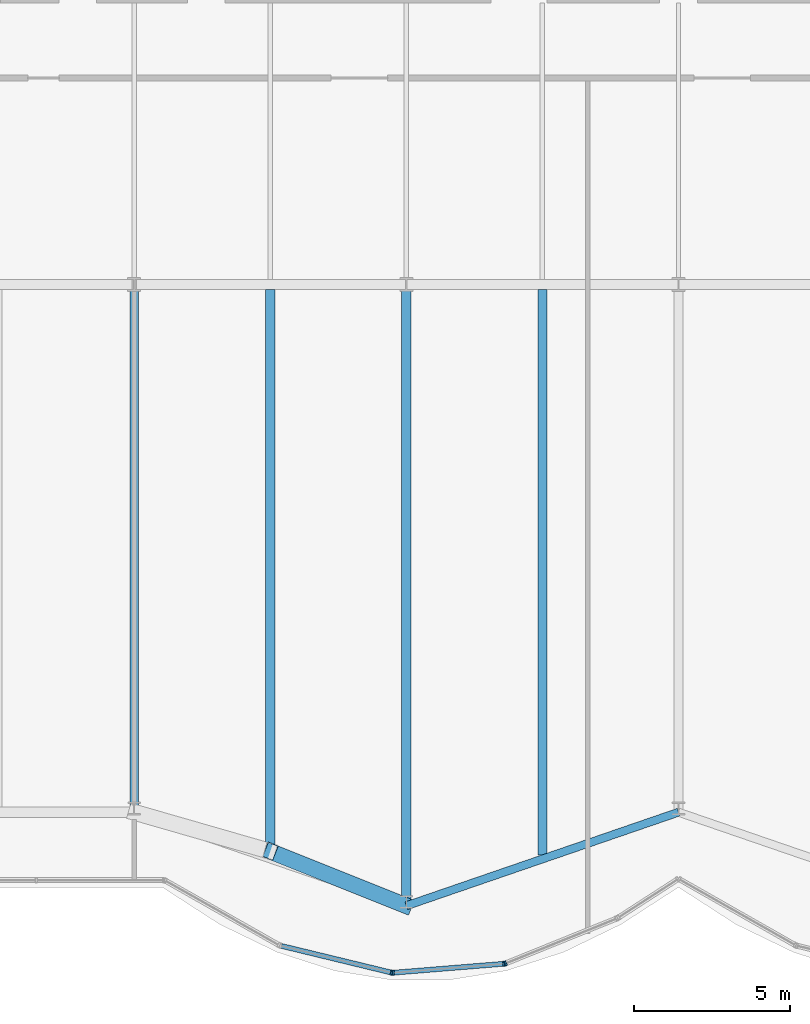
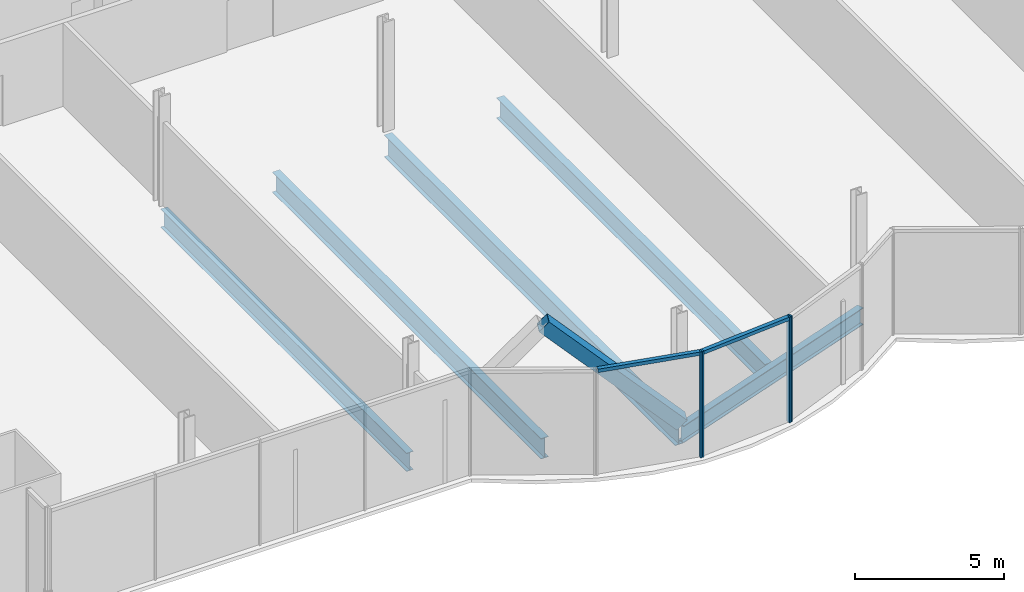
# One storey, part 5 of 21: 7 members, 5 beams, 1 element without a shape of its own.
"""IFC4 building model written with IfcOpenShell, lengths in metres."""

from ifc_helpers import new_model, si_unit, direction, frame, origin, origin_2d, place, context, subcontext, project, spatial, rectangle, hollow_rectangle, i_section, extrude, material, material_profile, profile_set, type_object, element, aggregate, save


model = new_model("IFC4")

# Units and contexts
model_context = context("Model", 3, precision=1e-05, world=origin(), true_north=direction((0.0, 1.0)))
body_context = subcontext(model_context, "Body", "Model", "MODEL_VIEW")
ifc_project = project(units=[si_unit("LENGTHUNIT", "METRE"), si_unit("AREAUNIT", "SQUARE_METRE"), si_unit("VOLUMEUNIT", "CUBIC_METRE"), si_unit("PLANEANGLEUNIT", "RADIAN"), si_unit("MASSUNIT", "GRAM", prefix="KILO")], contexts=[model_context])

# Site, building, storey
site_placement = place(None, origin())
site = spatial("IfcSite", under=ifc_project, at=site_placement, CompositionType="ELEMENT")
building_placement = place(site_placement, origin())
building = spatial("IfcBuilding", under=site, at=building_placement, Name="Bicima Exchange Tower", CompositionType="ELEMENT")
storey_placement = place(building_placement, frame((0.0, 0.0, 48.5)))
storey = spatial("IfcBuildingStorey", under=building, at=storey_placement, Name="L09", CompositionType="ELEMENT", Elevation=48.5)

# Beams
ifc_material_1 = material(Name="Steel ASTM A992 Gr 50", Category="steel")
ifc_material_profile_1 = material_profile(ifc_material_1, i_section(OverallWidth=0.2666015625, OverallDepth=0.75439453125, WebThickness=0.01318359375, FlangeThickness=0.01708984375, at=origin_2d()))
ifc_profile_set_1 = profile_set([ifc_material_profile_1], Name="Steel ASTM A992 Gr 50")
beam_type_1 = type_object("IfcBeamType", Name="Floor beam W30x99", PredefinedType="JOIST", material=ifc_profile_set_1)
beam_1_placement = place(storey_placement, frame((-17.39990234375, -22.16259765625, -0.527099609375), z_axis=(0.0, -1.0, 0.0), x_axis=(1.0, 0.0, 0.0)))
element("IfcBeam", 1, at=beam_1_placement, inside=storey, type_object=beam_type_1, Name="Floor beam", PredefinedType="JOIST", context=body_context, shape_type="SweptSolid", body=[
    extrude(i_section(OverallWidth=0.2666015625, OverallDepth=0.75439453125, WebThickness=0.01318359375, FlangeThickness=0.01708984375, at=origin_2d()), origin(), (0.0, 0.0, 1.0), 16.542724609375),
])
ifc_material_profile_2 = material_profile(ifc_material_1, i_section(OverallWidth=0.2919921875, OverallDepth=0.835693359375, WebThickness=0.013916015625, FlangeThickness=0.018798828125, at=origin_2d()))
ifc_profile_set_2 = profile_set([ifc_material_profile_2], Name="Steel ASTM A992 Gr 50")
beam_type_2 = type_object("IfcBeamType", Name="Floor beam W33x118", PredefinedType="JOIST", material=ifc_profile_set_2)
for number, where, z_axis, x_axis, name in (
    (2, (-13.050048828125, -22.16259765625, -0.56787109375), (0.0, -1.0, 0.0), (1.0, 0.0, 0.0), "Floor beam"),
    (3, (-4.35009765625, -22.16259765625, -0.56787109375), (0.0, -1.0, 0.0), (1.0, 0.0, 0.0), "Floor beam"),
):
    element("IfcBeam", number, at=place(storey_placement, frame(where, z_axis=z_axis, x_axis=x_axis)), inside=storey, type_object=beam_type_2, Name=name, PredefinedType="JOIST", context=body_context, shape_type="SweptSolid", body=[
        extrude(i_section(OverallWidth=0.2919921875, OverallDepth=0.835693359375, WebThickness=0.013916015625, FlangeThickness=0.018798828125, at=origin_2d()), origin(), (0.0, 0.0, 1.0), 18.065185546875),
    ])
ifc_material_profile_3 = material_profile(ifc_material_1, i_section(OverallWidth=0.3046875, OverallDepth=0.904296875, WebThickness=0.01513671875, FlangeThickness=0.02001953125, at=origin_2d()))
ifc_profile_set_3 = profile_set([ifc_material_profile_3], Name="Steel ASTM A992 Gr 50")
beam_type_3 = type_object("IfcBeamType", Name="Floor beam W36x135", PredefinedType="JOIST", material=ifc_profile_set_3)
beam_2_placement = place(storey_placement, frame((-8.699951171875, -22.16259765625, -0.60205078125), z_axis=(0.0, -1.0, 0.0), x_axis=(1.0, 0.0, 0.0)))
element("IfcBeam", 4, at=beam_2_placement, inside=storey, type_object=beam_type_3, Name="Floor beam", PredefinedType="JOIST", context=body_context, shape_type="SweptSolid", body=[
    extrude(i_section(OverallWidth=0.3046875, OverallDepth=0.904296875, WebThickness=0.01513671875, FlangeThickness=0.02001953125, at=origin_2d()), origin(), (0.0, 0.0, 1.0), 19.560791015625),
])
ifc_material_profile_4 = material_profile(ifc_material_1, i_section(OverallWidth=0.256591796875, OverallDepth=0.693359375, WebThickness=0.014404296875, FlangeThickness=0.023681640625, at=origin_2d()))
ifc_profile_set_4 = profile_set([ifc_material_profile_4], Name="Steel ASTM A992 Gr 50")
beam_type_4 = type_object("IfcBeamType", Name="Front girder W27x114", PredefinedType="BEAM", material=ifc_profile_set_4)
beam_3_placement = place(storey_placement, frame((-8.699951171875, -41.859130859375, -0.49658203125), z_axis=(0.945666456746, 0.325138359143, 0.0), x_axis=(-0.325138359143, 0.945666456746, 0.0)))
element("IfcBeam", 5, at=beam_3_placement, inside=storey, type_object=beam_type_4, Name="Front girder", PredefinedType="BEAM", context=body_context, shape_type="SweptSolid", body=[
    extrude(i_section(OverallWidth=0.256591796875, OverallDepth=0.693359375, WebThickness=0.014404296875, FlangeThickness=0.023681640625, at=origin_2d()), origin(), (0.0, 0.0, 1.0), 9.19970703125),
])

# Curtain wall, members
ifc_material_2 = material(Name="Anodised bronze aluminium", Category="aluminium")
curtain_wall_type = type_object("IfcCurtainWallType", Name="Front glass wall", PredefinedType="NOTDEFINED", material=ifc_material_2)
curtain_wall_placement = place(storey_placement, origin())
curtain_wall = element("IfcCurtainWall", 6, at=curtain_wall_placement, inside=storey, type_object=curtain_wall_type, Name="Front glass wall L09 run 6", PredefinedType="NOTDEFINED")
ifc_material_profile_5 = material_profile(ifc_material_2, rectangle(XDim=0.159912109375, YDim=0.06005859375, at=origin_2d()))
ifc_profile_set_5 = profile_set([ifc_material_profile_5], Name="Anodised bronze aluminium")
member_type_1 = type_object("IfcMemberType", Name="Front glass wall mullion 60 x 160", PredefinedType="MULLION", material=ifc_profile_set_5)
member_1_placement = place(storey_placement, frame((-9.177490234375, -43.993896484375, 0.0), z_axis=(0.0, 0.0, 1.0), x_axis=(0.235681529503, 0.971830343553, 0.0)))
member_1 = element("IfcMember", 7, at=member_1_placement, type_object=member_type_1, Name="Front glass wall mullion 2", PredefinedType="MULLION", context=body_context, shape_type="SweptSolid", body=[
    extrude(rectangle(XDim=0.159912109375, YDim=0.06005859375, at=origin_2d()), origin(), (0.0, 0.0, 1.0), 4.35009765625),
])
member_2_placement = place(storey_placement, frame((-9.118408203125, -43.99853515625, 0.0), z_axis=(0.0, 0.0, 1.0), x_axis=(-0.080588612633, 0.99674744821, 0.0)))
member_2 = element("IfcMember", 8, at=member_2_placement, type_object=member_type_1, Name="Front glass wall mullion 1", PredefinedType="MULLION", context=body_context, shape_type="SweptSolid", body=[
    extrude(rectangle(XDim=0.159912109375, YDim=0.06005859375, at=origin_2d()), origin(), (0.0, 0.0, 1.0), 4.35009765625),
])
member_3_placement = place(storey_placement, frame((-5.583984375, -43.712890625, 0.0), z_axis=(0.0, 0.0, 1.0), x_axis=(-0.080588612633, 0.99674744821, 0.0)))
member_3 = element("IfcMember", 9, at=member_3_placement, type_object=member_type_1, Name="Front glass wall mullion 2", PredefinedType="MULLION", context=body_context, shape_type="SweptSolid", body=[
    extrude(rectangle(XDim=0.159912109375, YDim=0.06005859375, at=origin_2d()), origin(), (0.0, 0.0, 1.0), 4.35009765625),
])
member_4_placement = place(storey_placement, frame((-5.526123046875, -43.69921875, 0.0), z_axis=(0.0, 0.0, 1.0), x_axis=(-0.374705304, 0.92714396679, 0.0)))
member_4 = element("IfcMember", 10, at=member_4_placement, type_object=member_type_1, Name="Front glass wall mullion 1", PredefinedType="MULLION", context=body_context, shape_type="SweptSolid", body=[
    extrude(rectangle(XDim=0.159912109375, YDim=0.06005859375, at=origin_2d()), origin(), (0.0, 0.0, 1.0), 4.35009765625),
])
ifc_material_profile_6 = material_profile(ifc_material_2, rectangle(XDim=0.159912109375, YDim=0.139892578125, at=origin_2d()))
ifc_profile_set_6 = profile_set([ifc_material_profile_6], Name="Anodised bronze aluminium")
member_type_2 = type_object("IfcMemberType", Name="Front glass wall transom 140 x 160", PredefinedType="USERDEFINED", material=ifc_profile_set_6)
member_5_placement = place(storey_placement, frame((-12.68896484375, -43.142333984375, 4.280029296875), z_axis=(0.971833557815, -0.235668275132, 0.0), x_axis=(0.235668275132, 0.971833557815, 0.0)))
member_5 = element("IfcMember", 11, at=member_5_placement, type_object=member_type_2, Name="Front glass wall transom 1.1", ObjectType="TRANSOM", PredefinedType="USERDEFINED", context=body_context, shape_type="SweptSolid", body=[
    extrude(rectangle(XDim=0.159912109375, YDim=0.139892578125, at=origin_2d()), origin(), (0.0, 0.0, 1.0), 3.583251953125),
])
member_6_placement = place(storey_placement, frame((-9.08837890625, -43.99609375, 4.280029296875), z_axis=(0.9967456465, 0.080610893699, 0.0), x_axis=(-0.080610893699, 0.9967456465, 0.0)))
member_6 = element("IfcMember", 12, at=member_6_placement, type_object=member_type_2, Name="Front glass wall transom 1.1", ObjectType="TRANSOM", PredefinedType="USERDEFINED", context=body_context, shape_type="SweptSolid", body=[
    extrude(rectangle(XDim=0.159912109375, YDim=0.139892578125, at=origin_2d()), origin(), (0.0, 0.0, 1.0), 3.48583984375),
])
aggregate(curtain_wall, [member_1, member_5, member_2, member_3, member_6, member_4])

# Member
ifc_material_3 = material(Name="Steel ASTM A572 Gr 50", Category="steel")
ifc_material_profile_7 = material_profile(ifc_material_3, hollow_rectangle(XDim=0.508056640625, YDim=0.508056640625, WallThickness=0.017822265625, at=origin_2d()))
ifc_profile_set_7 = profile_set([ifc_material_profile_7], Name="Steel ASTM A572 Gr 50")
member_type_3 = type_object("IfcMemberType", Name="Mega brace HSS20x20x3/4", PredefinedType="BRACE", material=ifc_profile_set_7)
member_7_placement = place(storey_placement, frame((-8.699951171875, -41.859130859375, 0.0), z_axis=(-0.669641624162, 0.267811550891, 0.692717163349), x_axis=(-0.3713367687, -0.928498252132, 0.0)))
element("IfcMember", 13, at=member_7_placement, inside=storey, type_object=member_type_3, Name="Mega brace front", PredefinedType="BRACE", context=body_context, shape_type="SweptSolid", body=[
    extrude(hollow_rectangle(XDim=0.508056640625, YDim=0.508056640625, WallThickness=0.017822265625, at=origin_2d()), origin(), (0.0, 0.0, 1.0), 6.49609375),
])

save(model, "model.ifc")
